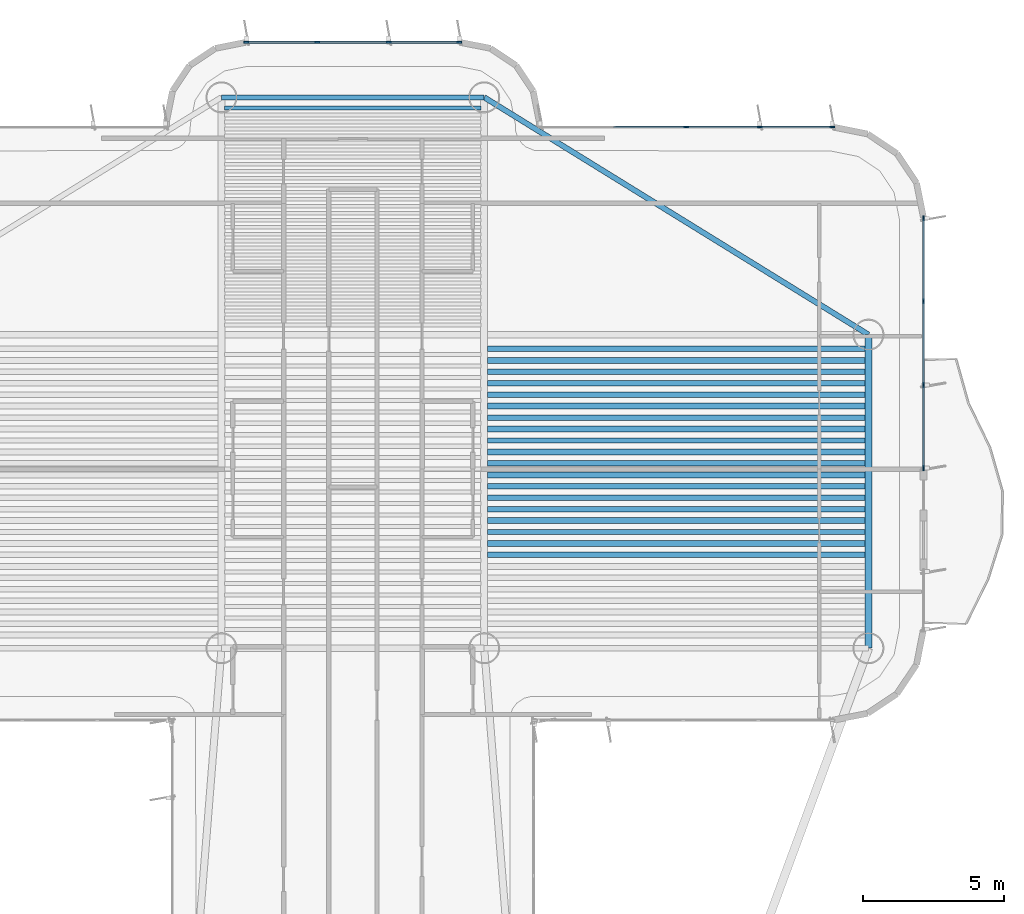
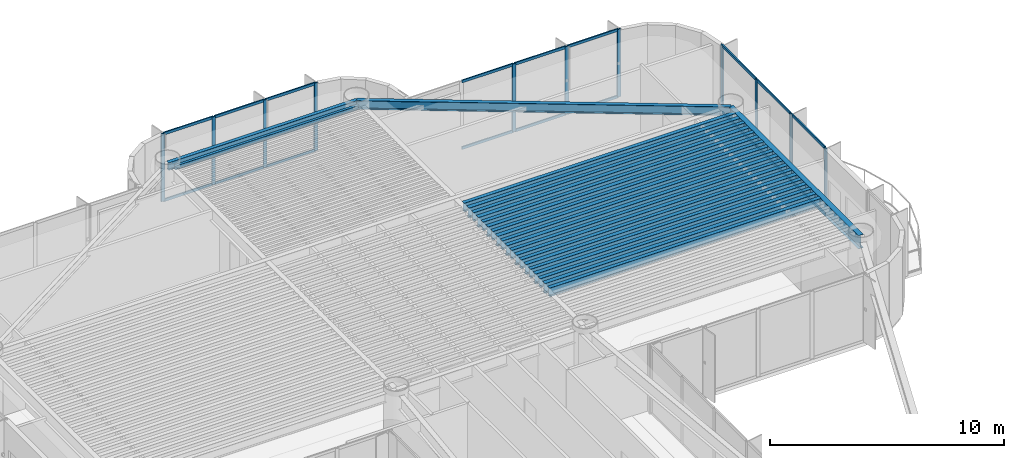
# One storey, part 7 of 15: 29 members, 23 beams, 3 elements without a shape of their own.
"""IFC4 building model written with IfcOpenShell, lengths in metres."""

import ifcopenshell
import ifcopenshell.guid

model = None  # the IFC model being written
_history = None  # IfcOwnerHistory: only IFC2X3 demands one
_inside = {}  # id of a spatial element -> (the spatial element, [elements in it])
_under = {}  # id of a project, library or spatial element -> (it, [spatial elements below it])
_declared = {}  # id of a project -> (the project, [libraries it declares])
_typed = {}  # id of a type object -> (the type object, [elements of that type])
_made_of = {}  # id of a material, layer set ... -> (it, [elements and type objects made of it])


def new_model(schema):
    """Start an empty IFC model of exactly this schema.

    Asked for "IFC4X3", IfcOpenShell would pick the latest addendum, in which some entities
    have other attributes; the version numbers below select the first issue.
    IFC2X3 requires an IfcOwnerHistory on every rooted entity: one is made here for all.
    """
    global model, _history
    if schema == "IFC4X3":
        model = ifcopenshell.file(schema_version=(4, 3, 0, 0))
    else:
        model = ifcopenshell.file(schema=schema)
    _inside.clear()
    _under.clear()
    _declared.clear()
    _typed.clear()
    _made_of.clear()
    _history = None
    if model.schema == "IFC2X3":
        org = make("IfcOrganization", Name="unknown")
        user = make(
            "IfcPersonAndOrganization",
            ThePerson=make("IfcPerson", FamilyName="unknown"),
            TheOrganization=org,
        )
        app = make(
            "IfcApplication",
            ApplicationDeveloper=org,
            Version="unknown",
            ApplicationFullName="unknown",
            ApplicationIdentifier="unknown",
        )
        _history = make(
            "IfcOwnerHistory",
            OwningUser=user,
            OwningApplication=app,
            ChangeAction="ADDED",
            CreationDate=0,
        )
    return model


def make(cls, **values):
    """One entity of the class cls with the attributes given. An attribute that is None is left unset."""
    return model.create_entity(
        cls, **{name: value for name, value in values.items() if value is not None}
    )


def rooted(cls, **values):
    """An entity with a GlobalId (a new one), such as an element, a storey or a relation."""
    return make(cls, GlobalId=ifcopenshell.guid.new(), OwnerHistory=_history, **values)


def si_unit(unit_type, name, prefix=None):
    """IfcSIUnit, for example si_unit("LENGTHUNIT", "METRE", prefix="MILLI")."""
    return make("IfcSIUnit", UnitType=unit_type, Prefix=prefix, Name=name)


def assignment(units):
    """IfcUnitAssignment: the units of a project."""
    return None if units is None else make("IfcUnitAssignment", Units=units)


def point(xyz):
    """IfcCartesianPoint."""
    return None if xyz is None else make("IfcCartesianPoint", Coordinates=xyz)


def direction(xyz):
    """IfcDirection."""
    return None if xyz is None else make("IfcDirection", DirectionRatios=xyz)


def frame(location, z_axis=None, x_axis=None):
    """IfcAxis2Placement3D, a coordinate frame: its origin and axes. An axis left out is left unset."""
    return make(
        "IfcAxis2Placement3D",
        Location=point(location),
        Axis=direction(z_axis),
        RefDirection=direction(x_axis),
    )


def frame_2d(location, x_axis=None):
    """IfcAxis2Placement2D, a coordinate frame in the plane: its origin and x axis."""
    return make(
        "IfcAxis2Placement2D", Location=point(location), RefDirection=direction(x_axis)
    )


def origin():
    """The frame at (0, 0, 0) with its axes left unset."""
    return frame((0.0, 0.0, 0.0))


def origin_2d():
    """The frame at (0, 0) in the plane with its x axis left unset."""
    return frame_2d((0.0, 0.0))


def place(relative_to, where):
    """IfcLocalPlacement: puts the frame where relative to a parent placement (None: the world)."""
    return make(
        "IfcLocalPlacement", PlacementRelTo=relative_to, RelativePlacement=where
    )


def context(
    kind, dimensions, precision=None, world=None, true_north=None, identifier=None
):
    """IfcGeometricRepresentationContext, for example the 3D "Model" context."""
    return make(
        "IfcGeometricRepresentationContext",
        ContextIdentifier=identifier,
        ContextType=kind,
        CoordinateSpaceDimension=dimensions,
        Precision=precision,
        WorldCoordinateSystem=world,
        TrueNorth=true_north,
    )


def subcontext(parent, identifier, kind, view, scale=None):
    """IfcGeometricRepresentationSubContext, for example "Body" below "Model"."""
    return make(
        "IfcGeometricRepresentationSubContext",
        ContextIdentifier=identifier,
        ContextType=kind,
        ParentContext=parent,
        TargetScale=scale,
        TargetView=view,
    )


def project(units=None, contexts=None):
    """IfcProject with its units and contexts."""
    return rooted(
        "IfcProject",
        Name="project",
        RepresentationContexts=contexts,
        UnitsInContext=assignment(units),
    )


def spatial(cls, under=None, at=None, **own):
    """A site, building, storey or space (cls), placed at a placement, below another one or the project."""
    s = rooted(cls, ObjectPlacement=at, **own)
    if under is not None:
        _under.setdefault(under.id(), (under, []))[1].append(s)
    return s


def profile(cls, at=None, kind="AREA", **sizes):
    """A parametric profile (cls). Its sizes go by their IFC names, for example OverallWidth=200.0."""
    return make(cls, ProfileType=kind, Position=at, **sizes)


def rectangle(**sizes):
    """IfcRectangleProfileDef."""
    return profile("IfcRectangleProfileDef", **sizes)


def i_section(**sizes):
    """IfcIShapeProfileDef."""
    return profile("IfcIShapeProfileDef", **sizes)


def extrude(swept, where, along, depth):
    """IfcExtrudedAreaSolid: the profile swept, set in the frame where, extruded along a direction by depth."""
    return make(
        "IfcExtrudedAreaSolid",
        SweptArea=swept,
        Position=where,
        ExtrudedDirection=direction(along),
        Depth=depth,
    )


def shape(context_of_items, identifier, shape_type, items):
    """IfcShapeRepresentation: the items that make up one representation, for example the "Body"."""
    return make(
        "IfcShapeRepresentation",
        ContextOfItems=context_of_items,
        RepresentationIdentifier=identifier,
        RepresentationType=shape_type,
        Items=items,
    )


def source(mapping_origin, context_of_items, identifier, shape_type, items):
    """IfcRepresentationMap: a shape defined once, which mapped items show again and again."""
    return make(
        "IfcRepresentationMap",
        MappingOrigin=mapping_origin,
        MappedRepresentation=shape(context_of_items, identifier, shape_type, items),
    )


def transform(
    local_origin,
    x_axis=None,
    y_axis=None,
    z_axis=None,
    scale=None,
    scale2=None,
    scale3=None,
    uniform=True,
):
    """IfcCartesianTransformationOperator3D, or its non-uniform kind. x_axis, y_axis, z_axis: its Axis1, 2, 3."""
    if uniform:
        return make(
            "IfcCartesianTransformationOperator3D",
            Axis1=direction(x_axis),
            Axis2=direction(y_axis),
            LocalOrigin=point(local_origin),
            Scale=scale,
            Axis3=direction(z_axis),
        )
    return make(
        "IfcCartesianTransformationOperator3DnonUniform",
        Axis1=direction(x_axis),
        Axis2=direction(y_axis),
        LocalOrigin=point(local_origin),
        Scale=scale,
        Axis3=direction(z_axis),
        Scale2=scale2,
        Scale3=scale3,
    )


def mapped(mapping_source, mapping_target):
    """IfcMappedItem: shows the shape of a source again, moved by a transform."""
    return make(
        "IfcMappedItem", MappingSource=mapping_source, MappingTarget=mapping_target
    )


def material(Name=None, Category=None):
    """IfcMaterial."""
    return make("IfcMaterial", Name=Name, Category=Category)


def layer(
    of_material, thickness, ventilated=None, Name=None, Category=None, Priority=None
):
    """IfcMaterialLayer: one layer of a wall or slab, of a material (None: an air gap)."""
    return make(
        "IfcMaterialLayer",
        Material=of_material,
        LayerThickness=thickness,
        IsVentilated=ventilated,
        Name=Name,
        Category=Category,
        Priority=Priority,
    )


def layer_set(layers, Name=None):
    """IfcMaterialLayerSet."""
    return make("IfcMaterialLayerSet", MaterialLayers=layers, LayerSetName=Name)


def material_profile(
    of_material, cross_section, Name=None, Category=None, Priority=None
):
    """IfcMaterialProfile: a cross section and its material."""
    return make(
        "IfcMaterialProfile",
        Name=Name,
        Material=of_material,
        Profile=cross_section,
        Priority=Priority,
        Category=Category,
    )


def profile_set(profiles, Name=None, composite=None):
    """IfcMaterialProfileSet."""
    return make(
        "IfcMaterialProfileSet",
        Name=Name,
        MaterialProfiles=profiles,
        CompositeProfile=composite,
    )


def made_of(thing, what):
    """Note that an element or type object is made of a material, layer set ...; save() writes the relation."""
    if what is not None:
        _made_of.setdefault(what.id(), (what, []))[1].append(thing)
    return thing


def type_object(cls, material=None, **own):
    """A type object (cls), such as IfcWallType, which elements share."""
    return made_of(rooted(cls, **own), material)


def element(
    cls,
    number,
    at=None,
    inside=None,
    cuts=None,
    type_object=None,
    material=None,
    context=None,
    identifier="Body",
    shape_type=None,
    held_by="IfcProductDefinitionShape",
    body=None,
    shapes=None,
    **own,
):
    """One element of the class cls, such as IfcWall. Its Tag is "e" and its number.

    at: its placement. inside: the storey or other place that contains it. cuts: it is an
    opening in that element (IfcRelVoidsElement). A single representation is given by context,
    identifier, shape_type and body (its items); several are given by shapes. held_by: the class
    of the entity that holds the representations. save() writes the other relations.
    """
    e = rooted(cls, Tag="e%d" % number, ObjectPlacement=at, **own)
    if body is not None:
        shapes = [shape(context, identifier, shape_type, body)]
    if shapes is not None:
        e.Representation = make(held_by, Representations=shapes)
    if inside is not None:
        _inside.setdefault(inside.id(), (inside, []))[1].append(e)
    if cuts is not None:
        rooted(
            "IfcRelVoidsElement", RelatingBuildingElement=cuts, RelatedOpeningElement=e
        )
    if type_object is not None:
        _typed.setdefault(type_object.id(), (type_object, []))[1].append(e)
    return made_of(e, material)


def aggregate(whole, parts):
    """IfcRelAggregates: a whole, such as a stair, and the parts it consists of."""
    return rooted("IfcRelAggregates", RelatingObject=whole, RelatedObjects=parts)


def save(model, path):
    """Write the relations noted so far, then the file.

    IfcRelAggregates (storeys below a building ...), IfcRelContainedInSpatialStructure (elements
    in a storey), IfcRelDefinesByType, IfcRelAssociatesMaterial and IfcRelDeclares: one each for
    every whole, place, type object, material and project.
    """
    for whole, parts in _under.values():
        aggregate(whole, parts)
    for where, things in _inside.values():
        rooted(
            "IfcRelContainedInSpatialStructure",
            RelatedElements=things,
            RelatingStructure=where,
        )
    for kind, things in _typed.values():
        rooted("IfcRelDefinesByType", RelatedObjects=things, RelatingType=kind)
    for what, things in _made_of.values():
        rooted("IfcRelAssociatesMaterial", RelatedObjects=things, RelatingMaterial=what)
    for by, libraries in _declared.values():
        rooted("IfcRelDeclares", RelatingContext=by, RelatedDefinitions=libraries)
    model.write(path)


model = new_model("IFC4")

# Units and contexts
model_context = context("Model", 3, precision=1e-05, world=origin(), true_north=direction((0.0, 1.0)))
body_context = subcontext(model_context, "Body", "Model", "MODEL_VIEW")
ifc_project = project(units=[si_unit("LENGTHUNIT", "METRE"), si_unit("AREAUNIT", "SQUARE_METRE"), si_unit("VOLUMEUNIT", "CUBIC_METRE"), si_unit("PLANEANGLEUNIT", "RADIAN"), si_unit("MASSUNIT", "GRAM", prefix="KILO")], contexts=[model_context])

# Site, building, storey
site_placement = place(None, origin())
site = spatial("IfcSite", under=ifc_project, at=site_placement, CompositionType="ELEMENT")
building_placement = place(site_placement, origin())
building = spatial("IfcBuilding", under=site, at=building_placement, Name="Brelvock Crest Care Tower", CompositionType="ELEMENT")
storey_placement = place(building_placement, frame((0.0, 0.0, 160.199951171875)))
storey = spatial("IfcBuildingStorey", under=building, at=storey_placement, Name="L40", CompositionType="ELEMENT", Elevation=160.199951171875)

# Beams
ifc_material_1 = material(Name="Steel Grade 350", Category="steel")
ifc_material_profile_1 = material_profile(ifc_material_1, i_section(OverallWidth=0.177978515625, OverallDepth=0.406005859375, WebThickness=0.0078125, FlangeThickness=0.0126953125, FilletRadius=0.011474609375, at=origin_2d()), Name="410UB59.7")
ifc_profile_set_1 = profile_set([ifc_material_profile_1], Name="Steel Grade 350")
beam_type_1 = type_object("IfcBeamType", Name="BM-SP1", PredefinedType="SPANDREL", material=ifc_profile_set_1)
shared_shape_1 = source(origin(), body_context, "Body", "SweptSolid", [
    extrude(i_section(OverallWidth=0.177978515625, OverallDepth=0.406005859375, WebThickness=0.0078125, FlangeThickness=0.0126953125, FilletRadius=0.011474609375, at=origin_2d()), origin(), (0.0, 0.0, 1.0), 9.2998046875),
])
beam_1_placement = place(storey_placement, frame((31.35009765625, 54.449951171875, 3.3271484375), z_axis=(1.0, 0.0, 0.0), x_axis=(0.0, 1.0, 0.0)))
element("IfcBeam", 1, at=beam_1_placement, inside=storey, type_object=beam_type_1, Name="BM-TWR-L40-08", PredefinedType="SPANDREL", context=body_context, shape_type="MappedRepresentation", body=[
    mapped(shared_shape_1, transform((0.0, 0.0, 0.0), x_axis=(1.0, 0.0, 0.0), y_axis=(0.0, 1.0, 0.0), z_axis=(0.0, 0.0, 1.0), scale=1.0)),
])
ifc_material_profile_2 = material_profile(ifc_material_1, i_section(OverallWidth=0.134033203125, OverallDepth=0.20703125, WebThickness=0.00634765625, FlangeThickness=0.009521484375, FilletRadius=0.0087890625, at=origin_2d()), Name="200UB29.8")
ifc_profile_set_2 = profile_set([ifc_material_profile_2], Name="Steel Grade 350")
beam_type_2 = type_object("IfcBeamType", Name="BM-J4", PredefinedType="JOIST", material=ifc_profile_set_2)
shared_shape_2 = source(origin(), body_context, "Body", "SweptSolid", [
    extrude(i_section(OverallWidth=0.134033203125, OverallDepth=0.20703125, WebThickness=0.00634765625, FlangeThickness=0.009521484375, FilletRadius=0.0087890625, at=origin_2d()), origin(), (0.0, 0.0, 1.0), 9.06982421875),
])
beam_2_placement = place(storey_placement, frame((31.465087890625, 54.06787109375, 3.426513671875), z_axis=(1.0, 0.0, 0.0), x_axis=(0.0, 1.0, 0.0)))
element("IfcBeam", 2, at=beam_2_placement, inside=storey, type_object=beam_type_2, Name="BM-JN-L40-32", PredefinedType="JOIST", context=body_context, shape_type="MappedRepresentation", body=[
    mapped(shared_shape_2, transform((0.0, 0.0, 0.0), x_axis=(1.0, 0.0, 0.0), y_axis=(0.0, 1.0, 0.0), z_axis=(0.0, 0.0, 1.0), scale=1.0)),
])
ifc_material_profile_3 = material_profile(ifc_material_1, i_section(OverallWidth=0.208984375, OverallDepth=0.532958984375, WebThickness=0.01025390625, FlangeThickness=0.015625, FilletRadius=0.013916015625, at=origin_2d()), Name="530UB92.4")
ifc_profile_set_3 = profile_set([ifc_material_profile_3], Name="Steel Grade 350")
beam_type_3 = type_object("IfcBeamType", Name="BM-G2", PredefinedType="BEAM", material=ifc_profile_set_3)
shared_shape_3 = source(origin(), body_context, "Body", "SweptSolid", [
    extrude(i_section(OverallWidth=0.208984375, OverallDepth=0.532958984375, WebThickness=0.01025390625, FlangeThickness=0.015625, FilletRadius=0.013916015625, at=origin_2d()), origin(), (0.0, 0.0, 1.0), 13.3701171875),
])
for number, where, z_axis, x_axis, name in (
    (3, (40.764892578125, 38.657470703125, 3.263427734375), (1.0, 0.0, 0.0), (0.0, 1.0, 0.0), "BM-JE-L40-9"),
    (4, (40.764892578125, 39.4677734375, 3.263427734375), (1.0, 0.0, 0.0), (0.0, 1.0, 0.0), "BM-JE-L40-11"),
    (5, (40.764892578125, 40.278076171875, 3.263427734375), (1.0, 0.0, 0.0), (0.0, 1.0, 0.0), "BM-JE-L40-13"),
    (6, (40.764892578125, 41.08837890625, 3.263427734375), (1.0, 0.0, 0.0), (0.0, 1.0, 0.0), "BM-JE-L40-15"),
    (7, (40.764892578125, 41.898681640625, 3.263427734375), (1.0, 0.0, 0.0), (0.0, 1.0, 0.0), "BM-JE-L40-17"),
    (8, (40.764892578125, 42.708984375, 3.263427734375), (1.0, 0.0, 0.0), (0.0, 1.0, 0.0), "BM-JE-L40-19"),
    (9, (40.764892578125, 43.519287109375, 3.263427734375), (1.0, 0.0, 0.0), (0.0, 1.0, 0.0), "BM-JE-L40-21"),
    (10, (40.764892578125, 44.32958984375, 3.263427734375), (1.0, 0.0, 0.0), (0.0, 1.0, 0.0), "BM-JE-L40-23"),
    (11, (40.764892578125, 45.139892578125, 3.263427734375), (1.0, 0.0, 0.0), (0.0, 1.0, 0.0), "BM-JE-L40-25"),
):
    element("IfcBeam", number, at=place(storey_placement, frame(where, z_axis=z_axis, x_axis=x_axis)), inside=storey, type_object=beam_type_3, Name=name, PredefinedType="BEAM", context=body_context, shape_type="MappedRepresentation", body=[
        mapped(shared_shape_3, transform((0.0, 0.0, 0.0), x_axis=(1.0, 0.0, 0.0), y_axis=(0.0, 1.0, 0.0), z_axis=(0.0, 0.0, 1.0), scale=1.0)),
    ])
ifc_material_profile_4 = material_profile(ifc_material_1, i_section(OverallWidth=0.19091796875, OverallDepth=0.4599609375, WebThickness=0.010009765625, FlangeThickness=0.01611328125, FilletRadius=0.011474609375, at=origin_2d()), Name="460UB82.1")
ifc_profile_set_4 = profile_set([ifc_material_profile_4], Name="Steel Grade 350")
beam_type_4 = type_object("IfcBeamType", Name="BM-G3", PredefinedType="BEAM", material=ifc_profile_set_4)
shared_shape_4 = source(origin(), body_context, "Body", "SweptSolid", [
    extrude(i_section(OverallWidth=0.19091796875, OverallDepth=0.4599609375, WebThickness=0.010009765625, FlangeThickness=0.01611328125, FilletRadius=0.011474609375, at=origin_2d()), origin(), (0.0, 0.0, 1.0), 13.3701171875),
])
for number, where, z_axis, x_axis, name in (
    (12, (40.764892578125, 38.252197265625, 3.300048828125), (1.0, 0.0, 0.0), (0.0, 1.0, 0.0), "BM-JE-L40-8"),
    (13, (40.764892578125, 39.0625, 3.300048828125), (1.0, 0.0, 0.0), (0.0, 1.0, 0.0), "BM-JE-L40-10"),
    (14, (40.764892578125, 39.872802734375, 3.300048828125), (1.0, 0.0, 0.0), (0.0, 1.0, 0.0), "BM-JE-L40-12"),
    (15, (40.764892578125, 40.68310546875, 3.300048828125), (1.0, 0.0, 0.0), (0.0, 1.0, 0.0), "BM-JE-L40-14"),
    (16, (40.764892578125, 41.493408203125, 3.300048828125), (1.0, 0.0, 0.0), (0.0, 1.0, 0.0), "BM-JE-L40-16"),
    (17, (40.764892578125, 42.3037109375, 3.300048828125), (1.0, 0.0, 0.0), (0.0, 1.0, 0.0), "BM-JE-L40-18"),
    (18, (40.764892578125, 43.114013671875, 3.300048828125), (1.0, 0.0, 0.0), (0.0, 1.0, 0.0), "BM-JE-L40-20"),
    (19, (40.764892578125, 43.92431640625, 3.300048828125), (1.0, 0.0, 0.0), (0.0, 1.0, 0.0), "BM-JE-L40-22"),
    (20, (40.764892578125, 44.734619140625, 3.300048828125), (1.0, 0.0, 0.0), (0.0, 1.0, 0.0), "BM-JE-L40-24"),
    (21, (40.764892578125, 45.544921875, 3.300048828125), (1.0, 0.0, 0.0), (0.0, 1.0, 0.0), "BM-JE-L40-26"),
):
    element("IfcBeam", number, at=place(storey_placement, frame(where, z_axis=z_axis, x_axis=x_axis)), inside=storey, type_object=beam_type_4, Name=name, PredefinedType="BEAM", context=body_context, shape_type="MappedRepresentation", body=[
        mapped(shared_shape_4, transform((0.0, 0.0, 0.0), x_axis=(1.0, 0.0, 0.0), y_axis=(0.0, 1.0, 0.0), z_axis=(0.0, 0.0, 1.0), scale=1.0)),
    ])
ifc_material_profile_5 = material_profile(ifc_material_1, i_section(OverallWidth=0.25, OverallDepth=0.699951171875, WebThickness=0.011962890625, FlangeThickness=0.02001953125, at=origin_2d()), Name="700WB150")
ifc_profile_set_5 = profile_set([ifc_material_profile_5], Name="Steel Grade 350")
beam_type_5 = type_object("IfcBeamType", Name="BM-G4", PredefinedType="BEAM", material=ifc_profile_set_5)
shared_shape_5 = source(origin(), body_context, "Body", "SweptSolid", [
    extrude(i_section(OverallWidth=0.25, OverallDepth=0.699951171875, WebThickness=0.011962890625, FlangeThickness=0.02001953125, at=origin_2d()), origin(), (0.0, 0.0, 1.0), 11.10009765625),
])
beam_3_placement = place(storey_placement, frame((54.25, 34.949951171875, 3.179931640625), z_axis=(0.0, 1.0, 0.0), x_axis=(-1.0, 0.0, 0.0)))
element("IfcBeam", 22, at=beam_3_placement, inside=storey, type_object=beam_type_5, Name="BM-TWR-L40-02", PredefinedType="BEAM", context=body_context, shape_type="MappedRepresentation", body=[
    mapped(shared_shape_5, transform((0.0, 0.0, 0.0), x_axis=(1.0, 0.0, 0.0), y_axis=(0.0, 1.0, 0.0), z_axis=(0.0, 0.0, 1.0), scale=1.0)),
])
ifc_material_profile_6 = material_profile(ifc_material_1, i_section(OverallWidth=0.19091796875, OverallDepth=0.4599609375, WebThickness=0.010009765625, FlangeThickness=0.01611328125, FilletRadius=0.011474609375, at=origin_2d()), Name="460UB82.1")
ifc_profile_set_6 = profile_set([ifc_material_profile_6], Name="Steel Grade 350")
beam_type_6 = type_object("IfcBeamType", Name="BM-SP2", PredefinedType="SPANDREL", material=ifc_profile_set_6)
shared_shape_6 = source(origin(), body_context, "Body", "SweptSolid", [
    extrude(i_section(OverallWidth=0.19091796875, OverallDepth=0.4599609375, WebThickness=0.010009765625, FlangeThickness=0.01611328125, FilletRadius=0.011474609375, at=origin_2d()), origin(), (0.0, 0.0, 1.0), 15.985107421875),
])
beam_4_placement = place(storey_placement, frame((40.64990234375, 54.449951171875, 3.300048828125), z_axis=(0.850802415717, -0.525485727124, 0.0), x_axis=(0.525485727124, 0.850802415717, 0.0)))
element("IfcBeam", 23, at=beam_4_placement, inside=storey, type_object=beam_type_6, Name="BM-TWR-L40-07", PredefinedType="SPANDREL", context=body_context, shape_type="MappedRepresentation", body=[
    mapped(shared_shape_6, transform((0.0, 0.0, 0.0), x_axis=(1.0, 0.0, 0.0), y_axis=(0.0, 1.0, 0.0), z_axis=(0.0, 0.0, 1.0), scale=1.0)),
])

# Curtain wall, members
ifc_material_2 = material(Name="Dark Glass Double Glazed Low-E", Category="glass")
ifc_layer = layer(ifc_material_2, 0.22509765625, Name="CWS-4")
ifc_layer_set = layer_set([ifc_layer], Name="Dark Glass Double Glazed Low-E")
curtain_wall_type = type_object("IfcCurtainWallType", Name="CWS-4", PredefinedType="NOTDEFINED", material=ifc_layer_set)
curtain_wall_1_placement = place(storey_placement, origin())
curtain_wall_1 = element("IfcCurtainWall", 24, at=curtain_wall_1_placement, inside=storey, type_object=curtain_wall_type, Name="L40 Curtain Wall E28", PredefinedType="NOTDEFINED")
ifc_material_3 = material(Name="Aluminium 6063-T6", Category="aluminium")
ifc_material_profile_7 = material_profile(ifc_material_3, rectangle(XDim=0.06005859375, YDim=0.179931640625, at=origin_2d()), Name="ALU60x180")
ifc_profile_set_7 = profile_set([ifc_material_profile_7], Name="Aluminium 6063-T6")
member_type_1 = type_object("IfcMemberType", Name="CWM-2", PredefinedType="MULLION", material=ifc_profile_set_7)
shared_shape_7 = source(origin(), body_context, "Body", "SweptSolid", [
    extrude(rectangle(XDim=0.06005859375, YDim=0.179931640625, at=origin_2d()), origin(), (0.0, 0.0, 1.0), 3.530029296875),
])
member_1_placement = place(storey_placement, frame((32.22998046875, 56.39990234375, 0.0), z_axis=(0.0, 0.0, 1.0), x_axis=(0.0, 1.0, 0.0)))
member_1 = element("IfcMember", 25, at=member_1_placement, type_object=member_type_1, Name="CW-4 mullion 1", PredefinedType="MULLION", context=body_context, shape_type="MappedRepresentation", body=[
    mapped(shared_shape_7, transform((0.0, 0.0, 0.0), x_axis=(1.0, 0.0, 0.0), y_axis=(0.0, 1.0, 0.0), z_axis=(0.0, 0.0, 1.0), scale=1.0)),
])
member_2_placement = place(storey_placement, frame((34.7333984375, 56.39990234375, 0.0), z_axis=(0.0, 0.0, 1.0), x_axis=(0.0, 1.0, 0.0)))
member_2 = element("IfcMember", 26, at=member_2_placement, type_object=member_type_1, Name="CW-4 mullion 2", PredefinedType="MULLION", context=body_context, shape_type="MappedRepresentation", body=[
    mapped(shared_shape_7, transform((0.0, 0.0, 0.0), x_axis=(1.0, 0.0, 0.0), y_axis=(0.0, 1.0, 0.0), z_axis=(0.0, 0.0, 1.0), scale=1.0)),
])
member_3_placement = place(storey_placement, frame((37.2666015625, 56.39990234375, 0.0), z_axis=(0.0, 0.0, 1.0), x_axis=(0.0, 1.0, 0.0)))
member_3 = element("IfcMember", 27, at=member_3_placement, type_object=member_type_1, Name="CW-4 mullion 3", PredefinedType="MULLION", context=body_context, shape_type="MappedRepresentation", body=[
    mapped(shared_shape_7, transform((0.0, 0.0, 0.0), x_axis=(1.0, 0.0, 0.0), y_axis=(0.0, 1.0, 0.0), z_axis=(0.0, 0.0, 1.0), scale=1.0)),
])
member_4_placement = place(storey_placement, frame((39.77001953125, 56.39990234375, 0.0), z_axis=(0.0, 0.0, 1.0), x_axis=(0.0, 1.0, 0.0)))
member_4 = element("IfcMember", 28, at=member_4_placement, type_object=member_type_1, Name="CW-4 mullion 4", PredefinedType="MULLION", context=body_context, shape_type="MappedRepresentation", body=[
    mapped(shared_shape_7, transform((0.0, 0.0, 0.0), x_axis=(1.0, 0.0, 0.0), y_axis=(0.0, 1.0, 0.0), z_axis=(0.0, 0.0, 1.0), scale=1.0)),
])

curtain_wall_2_placement = place(storey_placement, origin())
curtain_wall_2 = element("IfcCurtainWall", 29, at=curtain_wall_2_placement, inside=storey, type_object=curtain_wall_type, Name="L40 Curtain Wall E34", PredefinedType="NOTDEFINED")
member_5_placement = place(storey_placement, frame((47.800048828125, 53.39990234375, 0.0), z_axis=(0.0, 0.0, 1.0), x_axis=(0.0, 1.0, 0.0)))
member_5 = element("IfcMember", 30, at=member_5_placement, type_object=member_type_1, Name="CW-4 mullion 3", PredefinedType="MULLION", context=body_context, shape_type="MappedRepresentation", body=[
    mapped(shared_shape_7, transform((0.0, 0.0, 0.0), x_axis=(1.0, 0.0, 0.0), y_axis=(0.0, 1.0, 0.0), z_axis=(0.0, 0.0, 1.0), scale=1.0)),
])
member_6_placement = place(storey_placement, frame((50.39990234375, 53.39990234375, 0.0), z_axis=(0.0, 0.0, 1.0), x_axis=(0.0, 1.0, 0.0)))
member_6 = element("IfcMember", 31, at=member_6_placement, type_object=member_type_1, Name="CW-4 mullion 4", PredefinedType="MULLION", context=body_context, shape_type="MappedRepresentation", body=[
    mapped(shared_shape_7, transform((0.0, 0.0, 0.0), x_axis=(1.0, 0.0, 0.0), y_axis=(0.0, 1.0, 0.0), z_axis=(0.0, 0.0, 1.0), scale=1.0)),
])
member_7_placement = place(storey_placement, frame((52.969970703125, 53.39990234375, 0.0), z_axis=(0.0, 0.0, 1.0), x_axis=(0.0, 1.0, 0.0)))
member_7 = element("IfcMember", 32, at=member_7_placement, type_object=member_type_1, Name="CW-4 mullion 5", PredefinedType="MULLION", context=body_context, shape_type="MappedRepresentation", body=[
    mapped(shared_shape_7, transform((0.0, 0.0, 0.0), x_axis=(1.0, 0.0, 0.0), y_axis=(0.0, 1.0, 0.0), z_axis=(0.0, 0.0, 1.0), scale=1.0)),
])

curtain_wall_3_placement = place(storey_placement, origin())
curtain_wall_3 = element("IfcCurtainWall", 33, at=curtain_wall_3_placement, inside=storey, type_object=curtain_wall_type, Name="L40 Curtain Wall E39A", PredefinedType="NOTDEFINED")
member_8_placement = place(storey_placement, frame((56.199951171875, 50.169921875, 0.0), z_axis=(0.0, 0.0, 1.0), x_axis=(1.0, 0.0, 0.0)))
member_8 = element("IfcMember", 34, at=member_8_placement, type_object=member_type_1, Name="CW-4 mullion 1", PredefinedType="MULLION", context=body_context, shape_type="MappedRepresentation", body=[
    mapped(shared_shape_7, transform((0.0, 0.0, 0.0), x_axis=(1.0, 0.0, 0.0), y_axis=(0.0, 1.0, 0.0), z_axis=(0.0, 0.0, 1.0), scale=1.0)),
])
member_9_placement = place(storey_placement, frame((56.199951171875, 47.2333984375, 0.0), z_axis=(0.0, 0.0, 1.0), x_axis=(1.0, 0.0, 0.0)))
member_9 = element("IfcMember", 35, at=member_9_placement, type_object=member_type_1, Name="CW-4 mullion 2", PredefinedType="MULLION", context=body_context, shape_type="MappedRepresentation", body=[
    mapped(shared_shape_7, transform((0.0, 0.0, 0.0), x_axis=(1.0, 0.0, 0.0), y_axis=(0.0, 1.0, 0.0), z_axis=(0.0, 0.0, 1.0), scale=1.0)),
])
member_10_placement = place(storey_placement, frame((56.199951171875, 44.2666015625, 0.0), z_axis=(0.0, 0.0, 1.0), x_axis=(1.0, 0.0, 0.0)))
member_10 = element("IfcMember", 36, at=member_10_placement, type_object=member_type_1, Name="CW-4 mullion 3", PredefinedType="MULLION", context=body_context, shape_type="MappedRepresentation", body=[
    mapped(shared_shape_7, transform((0.0, 0.0, 0.0), x_axis=(1.0, 0.0, 0.0), y_axis=(0.0, 1.0, 0.0), z_axis=(0.0, 0.0, 1.0), scale=1.0)),
])
member_11_placement = place(storey_placement, frame((56.199951171875, 41.330078125, 0.0), z_axis=(0.0, 0.0, 1.0), x_axis=(1.0, 0.0, 0.0)))
member_11 = element("IfcMember", 37, at=member_11_placement, type_object=member_type_1, Name="CW-4 mullion 4", PredefinedType="MULLION", context=body_context, shape_type="MappedRepresentation", body=[
    mapped(shared_shape_7, transform((0.0, 0.0, 0.0), x_axis=(1.0, 0.0, 0.0), y_axis=(0.0, 1.0, 0.0), z_axis=(0.0, 0.0, 1.0), scale=1.0)),
])

# Member
ifc_material_profile_8 = material_profile(ifc_material_3, rectangle(XDim=0.06005859375, YDim=0.139892578125, at=origin_2d()), Name="ALU60x140")
ifc_profile_set_8 = profile_set([ifc_material_profile_8], Name="Aluminium 6063-T6")
member_type_2 = type_object("IfcMemberType", Name="CWT-2", PredefinedType="USERDEFINED", material=ifc_profile_set_8)
shared_shape_8 = source(origin(), body_context, "Body", "SweptSolid", [
    extrude(rectangle(XDim=0.06005859375, YDim=0.139892578125, at=origin_2d()), origin(), (0.0, 0.0, 1.0), 2.443359375),
])
member_12_placement = place(storey_placement, frame((32.260009765625, 56.39990234375, 0.030029296875), z_axis=(1.0, 0.0, 0.0), x_axis=(0.0, 1.0, 0.0)))
member_12 = element("IfcMember", 38, at=member_12_placement, type_object=member_type_2, Name="CW-4 transom 1.1", ObjectType="TRANSOM", PredefinedType="USERDEFINED", context=body_context, shape_type="MappedRepresentation", body=[
    mapped(shared_shape_8, transform((0.0, 0.0, 0.0), x_axis=(1.0, 0.0, 0.0), y_axis=(0.0, 1.0, 0.0), z_axis=(0.0, 0.0, 1.0), scale=1.0)),
])

member_13_placement = place(storey_placement, frame((32.260009765625, 56.39990234375, 3.5), z_axis=(1.0, 0.0, 0.0), x_axis=(0.0, 1.0, 0.0)))
member_13 = element("IfcMember", 39, at=member_13_placement, type_object=member_type_2, Name="CW-4 transom 1.2", ObjectType="TRANSOM", PredefinedType="USERDEFINED", context=body_context, shape_type="MappedRepresentation", body=[
    mapped(shared_shape_8, transform((0.0, 0.0, 0.0), x_axis=(1.0, 0.0, 0.0), y_axis=(0.0, 1.0, 0.0), z_axis=(0.0, 0.0, 1.0), scale=1.0)),
])

member_14_placement = place(storey_placement, frame((37.296630859375, 56.39990234375, 0.030029296875), z_axis=(1.0, 0.0, 0.0), x_axis=(0.0, 1.0, 0.0)))
member_14 = element("IfcMember", 40, at=member_14_placement, type_object=member_type_2, Name="CW-4 transom 3.1", ObjectType="TRANSOM", PredefinedType="USERDEFINED", context=body_context, shape_type="MappedRepresentation", body=[
    mapped(shared_shape_8, transform((0.0, 0.0, 0.0), x_axis=(1.0, 0.0, 0.0), y_axis=(0.0, 1.0, 0.0), z_axis=(0.0, 0.0, 1.0), scale=1.0)),
])

member_15_placement = place(storey_placement, frame((37.296630859375, 56.39990234375, 3.5), z_axis=(1.0, 0.0, 0.0), x_axis=(0.0, 1.0, 0.0)))
member_15 = element("IfcMember", 41, at=member_15_placement, type_object=member_type_2, Name="CW-4 transom 3.2", ObjectType="TRANSOM", PredefinedType="USERDEFINED", context=body_context, shape_type="MappedRepresentation", body=[
    mapped(shared_shape_8, transform((0.0, 0.0, 0.0), x_axis=(1.0, 0.0, 0.0), y_axis=(0.0, 1.0, 0.0), z_axis=(0.0, 0.0, 1.0), scale=1.0)),
])

shared_shape_9 = source(origin(), body_context, "Body", "SweptSolid", [
    extrude(rectangle(XDim=0.06005859375, YDim=0.139892578125, at=origin_2d()), origin(), (0.0, 0.0, 1.0), 2.47314453125),
])
member_16_placement = place(storey_placement, frame((34.763427734375, 56.39990234375, 0.030029296875), z_axis=(1.0, 0.0, 0.0), x_axis=(0.0, 1.0, 0.0)))
member_16 = element("IfcMember", 42, at=member_16_placement, type_object=member_type_2, Name="CW-4 transom 2.1", ObjectType="TRANSOM", PredefinedType="USERDEFINED", context=body_context, shape_type="MappedRepresentation", body=[
    mapped(shared_shape_9, transform((0.0, 0.0, 0.0), x_axis=(1.0, 0.0, 0.0), y_axis=(0.0, 1.0, 0.0), z_axis=(0.0, 0.0, 1.0), scale=1.0)),
])

member_17_placement = place(storey_placement, frame((34.763427734375, 56.39990234375, 3.5), z_axis=(1.0, 0.0, 0.0), x_axis=(0.0, 1.0, 0.0)))
member_17 = element("IfcMember", 43, at=member_17_placement, type_object=member_type_2, Name="CW-4 transom 2.2", ObjectType="TRANSOM", PredefinedType="USERDEFINED", context=body_context, shape_type="MappedRepresentation", body=[
    mapped(shared_shape_9, transform((0.0, 0.0, 0.0), x_axis=(1.0, 0.0, 0.0), y_axis=(0.0, 1.0, 0.0), z_axis=(0.0, 0.0, 1.0), scale=1.0)),
])

aggregate(curtain_wall_1, [member_1, member_2, member_3, member_4, member_12, member_13, member_16, member_17, member_14, member_15])

shared_shape_10 = source(origin(), body_context, "Body", "SweptSolid", [
    extrude(rectangle(XDim=0.06005859375, YDim=0.139892578125, at=origin_2d()), origin(), (0.0, 0.0, 1.0), 2.87646484375),
])
member_18_placement = place(storey_placement, frame((56.199951171875, 50.139892578125, 0.030029296875), z_axis=(0.0, -1.0, 0.0), x_axis=(1.0, 0.0, 0.0)))
member_18 = element("IfcMember", 44, at=member_18_placement, type_object=member_type_2, Name="CW-4 transom 1.1", ObjectType="TRANSOM", PredefinedType="USERDEFINED", context=body_context, shape_type="MappedRepresentation", body=[
    mapped(shared_shape_10, transform((0.0, 0.0, 0.0), x_axis=(1.0, 0.0, 0.0), y_axis=(0.0, 1.0, 0.0), z_axis=(0.0, 0.0, 1.0), scale=1.0)),
])

member_19_placement = place(storey_placement, frame((56.199951171875, 50.139892578125, 3.5), z_axis=(0.0, -1.0, 0.0), x_axis=(1.0, 0.0, 0.0)))
member_19 = element("IfcMember", 45, at=member_19_placement, type_object=member_type_2, Name="CW-4 transom 1.2", ObjectType="TRANSOM", PredefinedType="USERDEFINED", context=body_context, shape_type="MappedRepresentation", body=[
    mapped(shared_shape_10, transform((0.0, 0.0, 0.0), x_axis=(1.0, 0.0, 0.0), y_axis=(0.0, 1.0, 0.0), z_axis=(0.0, 0.0, 1.0), scale=1.0)),
])

member_20_placement = place(storey_placement, frame((56.199951171875, 44.236572265625, 0.030029296875), z_axis=(0.0, -1.0, 0.0), x_axis=(1.0, 0.0, 0.0)))
member_20 = element("IfcMember", 46, at=member_20_placement, type_object=member_type_2, Name="CW-4 transom 3.1", ObjectType="TRANSOM", PredefinedType="USERDEFINED", context=body_context, shape_type="MappedRepresentation", body=[
    mapped(shared_shape_10, transform((0.0, 0.0, 0.0), x_axis=(1.0, 0.0, 0.0), y_axis=(0.0, 1.0, 0.0), z_axis=(0.0, 0.0, 1.0), scale=1.0)),
])

member_21_placement = place(storey_placement, frame((56.199951171875, 44.236572265625, 3.5), z_axis=(0.0, -1.0, 0.0), x_axis=(1.0, 0.0, 0.0)))
member_21 = element("IfcMember", 47, at=member_21_placement, type_object=member_type_2, Name="CW-4 transom 3.2", ObjectType="TRANSOM", PredefinedType="USERDEFINED", context=body_context, shape_type="MappedRepresentation", body=[
    mapped(shared_shape_10, transform((0.0, 0.0, 0.0), x_axis=(1.0, 0.0, 0.0), y_axis=(0.0, 1.0, 0.0), z_axis=(0.0, 0.0, 1.0), scale=1.0)),
])

shared_shape_11 = source(origin(), body_context, "Body", "SweptSolid", [
    extrude(rectangle(XDim=0.06005859375, YDim=0.139892578125, at=origin_2d()), origin(), (0.0, 0.0, 1.0), 2.90673828125),
])
member_22_placement = place(storey_placement, frame((56.199951171875, 47.203369140625, 0.030029296875), z_axis=(0.0, -1.0, 0.0), x_axis=(1.0, 0.0, 0.0)))
member_22 = element("IfcMember", 48, at=member_22_placement, type_object=member_type_2, Name="CW-4 transom 2.1", ObjectType="TRANSOM", PredefinedType="USERDEFINED", context=body_context, shape_type="MappedRepresentation", body=[
    mapped(shared_shape_11, transform((0.0, 0.0, 0.0), x_axis=(1.0, 0.0, 0.0), y_axis=(0.0, 1.0, 0.0), z_axis=(0.0, 0.0, 1.0), scale=1.0)),
])

member_23_placement = place(storey_placement, frame((56.199951171875, 47.203369140625, 3.5), z_axis=(0.0, -1.0, 0.0), x_axis=(1.0, 0.0, 0.0)))
member_23 = element("IfcMember", 49, at=member_23_placement, type_object=member_type_2, Name="CW-4 transom 2.2", ObjectType="TRANSOM", PredefinedType="USERDEFINED", context=body_context, shape_type="MappedRepresentation", body=[
    mapped(shared_shape_11, transform((0.0, 0.0, 0.0), x_axis=(1.0, 0.0, 0.0), y_axis=(0.0, 1.0, 0.0), z_axis=(0.0, 0.0, 1.0), scale=1.0)),
])

aggregate(curtain_wall_3, [member_8, member_9, member_10, member_11, member_18, member_19, member_22, member_23, member_20, member_21])

shared_shape_12 = source(origin(), body_context, "Body", "SweptSolid", [
    extrude(rectangle(XDim=0.06005859375, YDim=0.139892578125, at=origin_2d()), origin(), (0.0, 0.0, 1.0), 2.510009765625),
])
member_24_placement = place(storey_placement, frame((50.429931640625, 53.39990234375, 0.030029296875), z_axis=(1.0, 0.0, 0.0), x_axis=(0.0, 1.0, 0.0)))
member_24 = element("IfcMember", 50, at=member_24_placement, type_object=member_type_2, Name="CW-4 transom 4.1", ObjectType="TRANSOM", PredefinedType="USERDEFINED", context=body_context, shape_type="MappedRepresentation", body=[
    mapped(shared_shape_12, transform((0.0, 0.0, 0.0), x_axis=(1.0, 0.0, 0.0), y_axis=(0.0, 1.0, 0.0), z_axis=(0.0, 0.0, 1.0), scale=1.0)),
])

member_25_placement = place(storey_placement, frame((50.429931640625, 53.39990234375, 3.5), z_axis=(1.0, 0.0, 0.0), x_axis=(0.0, 1.0, 0.0)))
member_25 = element("IfcMember", 51, at=member_25_placement, type_object=member_type_2, Name="CW-4 transom 4.2", ObjectType="TRANSOM", PredefinedType="USERDEFINED", context=body_context, shape_type="MappedRepresentation", body=[
    mapped(shared_shape_12, transform((0.0, 0.0, 0.0), x_axis=(1.0, 0.0, 0.0), y_axis=(0.0, 1.0, 0.0), z_axis=(0.0, 0.0, 1.0), scale=1.0)),
])

shared_shape_13 = source(origin(), body_context, "Body", "SweptSolid", [
    extrude(rectangle(XDim=0.06005859375, YDim=0.139892578125, at=origin_2d()), origin(), (0.0, 0.0, 1.0), 2.5400390625),
])
member_26_placement = place(storey_placement, frame((45.22998046875, 53.39990234375, 0.030029296875), z_axis=(1.0, 0.0, 0.0), x_axis=(0.0, 1.0, 0.0)))
member_26 = element("IfcMember", 52, at=member_26_placement, type_object=member_type_2, Name="CW-4 transom 2.1", ObjectType="TRANSOM", PredefinedType="USERDEFINED", context=body_context, shape_type="MappedRepresentation", body=[
    mapped(shared_shape_13, transform((0.0, 0.0, 0.0), x_axis=(1.0, 0.0, 0.0), y_axis=(0.0, 1.0, 0.0), z_axis=(0.0, 0.0, 1.0), scale=1.0)),
])

member_27_placement = place(storey_placement, frame((45.22998046875, 53.39990234375, 3.5), z_axis=(1.0, 0.0, 0.0), x_axis=(0.0, 1.0, 0.0)))
member_27 = element("IfcMember", 53, at=member_27_placement, type_object=member_type_2, Name="CW-4 transom 2.2", ObjectType="TRANSOM", PredefinedType="USERDEFINED", context=body_context, shape_type="MappedRepresentation", body=[
    mapped(shared_shape_13, transform((0.0, 0.0, 0.0), x_axis=(1.0, 0.0, 0.0), y_axis=(0.0, 1.0, 0.0), z_axis=(0.0, 0.0, 1.0), scale=1.0)),
])

member_28_placement = place(storey_placement, frame((47.830078125, 53.39990234375, 0.030029296875), z_axis=(1.0, 0.0, 0.0), x_axis=(0.0, 1.0, 0.0)))
member_28 = element("IfcMember", 54, at=member_28_placement, type_object=member_type_2, Name="CW-4 transom 3.1", ObjectType="TRANSOM", PredefinedType="USERDEFINED", context=body_context, shape_type="MappedRepresentation", body=[
    mapped(shared_shape_13, transform((0.0, 0.0, 0.0), x_axis=(1.0, 0.0, 0.0), y_axis=(0.0, 1.0, 0.0), z_axis=(0.0, 0.0, 1.0), scale=1.0)),
])

member_29_placement = place(storey_placement, frame((47.830078125, 53.39990234375, 3.5), z_axis=(1.0, 0.0, 0.0), x_axis=(0.0, 1.0, 0.0)))
member_29 = element("IfcMember", 55, at=member_29_placement, type_object=member_type_2, Name="CW-4 transom 3.2", ObjectType="TRANSOM", PredefinedType="USERDEFINED", context=body_context, shape_type="MappedRepresentation", body=[
    mapped(shared_shape_13, transform((0.0, 0.0, 0.0), x_axis=(1.0, 0.0, 0.0), y_axis=(0.0, 1.0, 0.0), z_axis=(0.0, 0.0, 1.0), scale=1.0)),
])

aggregate(curtain_wall_2, [member_5, member_6, member_7, member_26, member_27, member_28, member_29, member_24, member_25])

save(model, "model.ifc")
